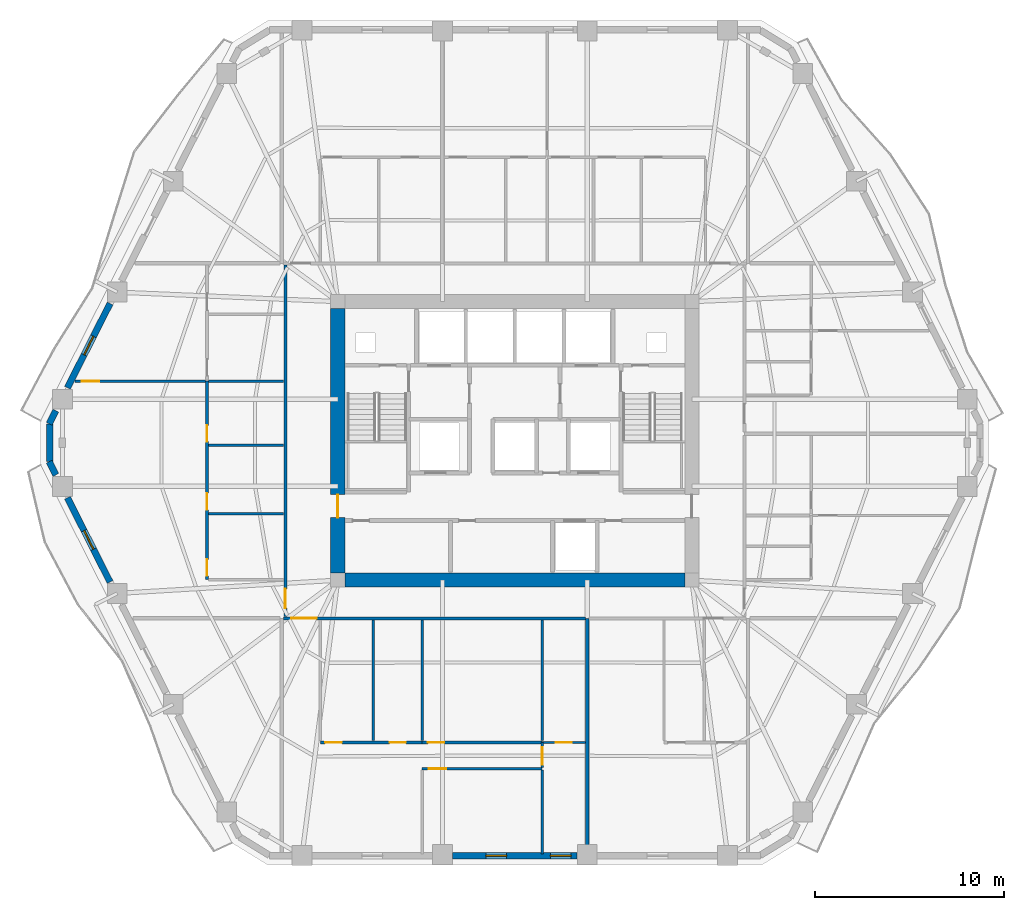
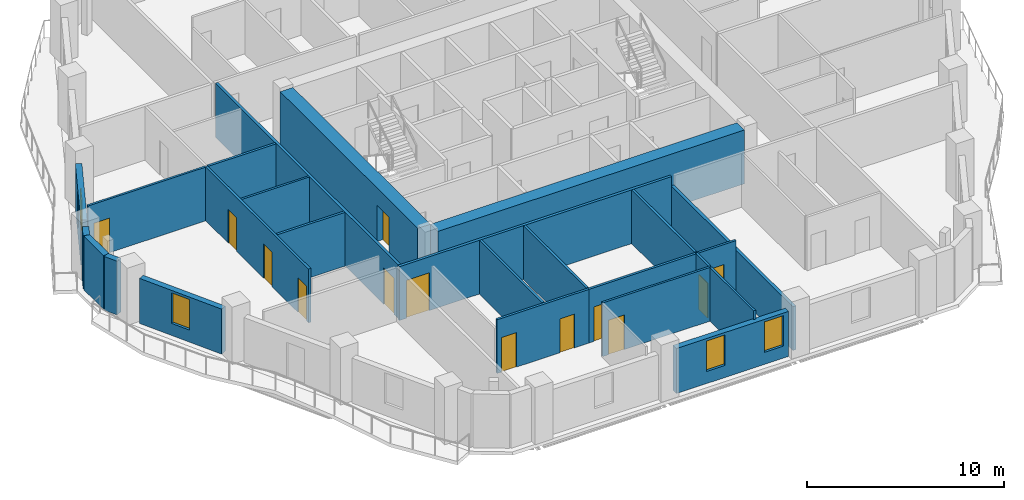
# One storey, part 4 of 11: 25 walls, 13 doors, 4 windows, 17 openings.
"""IFC4 building model written with IfcOpenShell, lengths in metres."""

from ifc_helpers import new_model, si_unit, direction, frame, frame_2d, origin, place, context, subcontext, project, spatial, rectangle, extrude, material, layer, layer_set, type_object, element, fill, save


model = new_model("IFC4")

# Units and contexts
model_context = context("Model", 3, precision=1e-05, world=origin(), true_north=direction((0.0, 1.0)))
body_context = subcontext(model_context, "Body", "Model", "MODEL_VIEW")
ifc_project = project(units=[si_unit("LENGTHUNIT", "METRE"), si_unit("AREAUNIT", "SQUARE_METRE"), si_unit("VOLUMEUNIT", "CUBIC_METRE"), si_unit("PLANEANGLEUNIT", "RADIAN"), si_unit("MASSUNIT", "GRAM", prefix="KILO")], contexts=[model_context])

# Site, building, storey
site_placement = place(None, origin())
site = spatial("IfcSite", under=ifc_project, at=site_placement, CompositionType="ELEMENT")
building_placement = place(site_placement, origin())
building = spatial("IfcBuilding", under=site, at=building_placement, Name="Cinnabar Lancet Tower", CompositionType="ELEMENT")
storey_placement = place(building_placement, frame((0.0, 0.0, 105.5)))
storey = spatial("IfcBuildingStorey", under=building, at=storey_placement, Name="L27", CompositionType="ELEMENT", Elevation=105.5)

# Wall, opening, door
ifc_material_1 = material(Name="Acoustic twin-stud gypsum partition", Category="gypsum")
ifc_layer_1 = layer(ifc_material_1, 0.159912109375)
ifc_layer_set_1 = layer_set([ifc_layer_1], Name="Acoustic twin-stud gypsum partition")
wall_type_1 = type_object("IfcWallType", Name="ARC-WL-CORR-160", PredefinedType="PARTITIONING", material=ifc_layer_set_1)
wall_1_placement = place(storey_placement, frame((20.14501953125, 16.5, 0.0), z_axis=(0.0, 0.0, 1.0), x_axis=(1.0, 0.0, 0.0)))
wall_1 = element("IfcWall", 1, at=wall_1_placement, inside=storey, type_object=wall_type_1, Name="L27 Unit S01 Corridor Wall", PredefinedType="PARTITIONING", context=body_context, shape_type="SweptSolid", body=[
    extrude(rectangle(XDim=15.991943359375, YDim=0.159912109375, at=frame_2d((7.99609375, 0.0))), origin(), (0.0, 0.0, 1.0), 3.340087890625),
])
opening_1_placement = place(wall_1_placement, frame((0.405029296875, 0.0, 0.0)))
opening_1 = element("IfcOpeningElement", 2, at=opening_1_placement, cuts=wall_1, Name="Opening UD-02", PredefinedType="OPENING", context=body_context, shape_type="SweptSolid", body=[
    extrude(rectangle(XDim=1.35009765625, YDim=2.35009765625, at=frame_2d((0.675048828125, 1.175048828125))), frame((0.0, 0.08984375, 0.0), z_axis=(0.0, -1.0, 0.0), x_axis=(1.0, 0.0, 0.0)), (0.0, 0.0, 1.0), 0.179931640625),
])
ifc_material_2 = material(Name="Double-leaf solid timber penthouse entrance door", Category="wood")
door_type_1 = type_object("IfcDoorType", Name="ARC-DR-UNIT-PH", OperationType="NOTDEFINED", PredefinedType="DOOR", material=ifc_material_2)
door_1_placement = place(opening_1_placement, origin())
door_1 = element("IfcDoor", 3, at=door_1_placement, inside=storey, type_object=door_type_1, Name="DR-L27-S01-ENT", OperationType="SINGLE_SWING_LEFT", OverallHeight=2.35009765625, OverallWidth=1.35009765625, PredefinedType="DOOR", context=body_context, shape_type="SweptSolid", body=[
    extrude(rectangle(XDim=1.35009765625, YDim=2.35009765625, at=frame_2d((0.675048828125, 1.175048828125))), frame((0.0, 0.02490234375, 0.0), z_axis=(0.0, -1.0, 0.0), x_axis=(1.0, 0.0, 0.0)), (0.0, 0.0, 1.0), 0.050048828125),
])
fill(opening_1, door_1)

wall_2_placement = place(storey_placement, frame((20.25, 16.594970703125, 0.0), z_axis=(0.0, 0.0, 1.0), x_axis=(0.0, 1.0, 0.0)))
wall_2 = element("IfcWall", 4, at=wall_2_placement, inside=storey, type_object=wall_type_1, Name="UW-L27-W01-COR", PredefinedType="PARTITIONING", context=body_context, shape_type="SweptSolid", body=[
    extrude(rectangle(XDim=18.610107421875, YDim=0.159912109375, at=frame_2d((9.30517578125, 0.0))), origin(), (0.0, 0.0, 1.0), 3.340087890625),
])
opening_2_placement = place(wall_2_placement, frame((0.449951171875, 0.0, 0.0)))
opening_2 = element("IfcOpeningElement", 5, at=opening_2_placement, cuts=wall_2, Name="Opening UD-01", PredefinedType="OPENING", context=body_context, shape_type="SweptSolid", body=[
    extrude(rectangle(XDim=1.02001953125, YDim=2.25, at=frame_2d((0.510009765625, 1.125))), frame((0.0, 0.08984375, 0.0), z_axis=(0.0, -1.0, 0.0), x_axis=(1.0, 0.0, 0.0)), (0.0, 0.0, 1.0), 0.179931640625),
])
ifc_material_3 = material(Name="Solid timber fire-rated apartment entrance door", Category="wood")
door_type_2 = type_object("IfcDoorType", Name="ARC-DR-UNIT", OperationType="NOTDEFINED", PredefinedType="DOOR", material=ifc_material_3)
door_2_placement = place(opening_2_placement, origin())
door_2 = element("IfcDoor", 6, at=door_2_placement, inside=storey, type_object=door_type_2, Name="DR-L27-W01-ENT", OperationType="SINGLE_SWING_LEFT", OverallHeight=2.25, OverallWidth=1.02001953125, PredefinedType="DOOR", context=body_context, shape_type="SweptSolid", body=[
    extrude(rectangle(XDim=1.02001953125, YDim=2.25, at=frame_2d((0.510009765625, 1.125))), frame((0.0, 0.02490234375, 0.0), z_axis=(0.0, -1.0, 0.0), x_axis=(1.0, 0.0, 0.0)), (0.0, 0.0, 1.0), 0.050048828125),
])
fill(opening_2, door_2)

# Wall
ifc_material_4 = material(Name="Fire-rated twin-frame acoustic drywall", Category="gypsum")
ifc_layer_2 = layer(ifc_material_4, 0.179931640625)
ifc_layer_set_2 = layer_set([ifc_layer_2], Name="Fire-rated twin-frame acoustic drywall")
wall_type_2 = type_object("IfcWallType", Name="ARC-WL-PARTY-180", PredefinedType="PARTITIONING", material=ifc_layer_set_2)
wall_3_placement = place(storey_placement, frame((36.23193359375, 4.10498046875, 0.0), z_axis=(0.0, 0.0, 1.0), x_axis=(0.0, 1.0, 0.0)))
element("IfcWall", 7, at=wall_3_placement, inside=storey, type_object=wall_type_2, Name="PW-L27-SPTY-362", PredefinedType="PARTITIONING", context=body_context, shape_type="SweptSolid", body=[
    extrude(rectangle(XDim=12.39501953125, YDim=0.179931640625, at=frame_2d((6.197509765625, 0.0))), origin(), (0.0, 0.0, 1.0), 2.721923828125),
])

# Wall, opening, door
ifc_material_5 = material(Name="Gypsum plasterboard stud partition", Category="gypsum")
ifc_layer_3 = layer(ifc_material_5, 0.125)
ifc_layer_set_3 = layer_set([ifc_layer_3], Name="Gypsum plasterboard stud partition")
wall_type_3 = type_object("IfcWallType", Name="ARC-WL-UNIT-125", PredefinedType="PARTITIONING", material=ifc_layer_set_3)
wall_4_placement = place(storey_placement, frame((33.85009765625, 9.930908203125, 0.0), z_axis=(0.0, 0.0, 1.0), x_axis=(1.0, 0.0, 0.0)))
wall_4 = element("IfcWall", 8, at=wall_4_placement, inside=storey, type_object=wall_type_3, Name="UW-L27-S01-SP2", PredefinedType="PARTITIONING", context=body_context, shape_type="SweptSolid", body=[
    extrude(rectangle(XDim=2.286865234375, YDim=0.125, at=frame_2d((1.1435546875, 0.0))), origin(), (0.0, 0.0, 1.0), 3.340087890625),
])
opening_3_placement = place(wall_4_placement, frame((0.718017578125, 0.0, 0.0)))
opening_3 = element("IfcOpeningElement", 9, at=opening_3_placement, cuts=wall_4, Name="Opening BD-01", PredefinedType="OPENING", context=body_context, shape_type="SweptSolid", body=[
    extrude(rectangle(XDim=0.860107421875, YDim=2.10009765625, at=frame_2d((0.43017578125, 1.050048828125))), frame((0.0, 0.072509765625, 0.0), z_axis=(0.0, -1.0, 0.0), x_axis=(1.0, 0.0, 0.0)), (0.0, 0.0, 1.0), 0.14501953125),
])
ifc_material_6 = material(Name="Moisture-resistant timber bathroom door", Category="wood")
door_type_3 = type_object("IfcDoorType", Name="ARC-DR-BATH", OperationType="NOTDEFINED", PredefinedType="DOOR", material=ifc_material_6)
door_3_placement = place(opening_3_placement, origin())
door_3 = element("IfcDoor", 10, at=door_3_placement, inside=storey, type_object=door_type_3, Name="DR-L27-S01-ENS", OperationType="SINGLE_SWING_LEFT", OverallHeight=2.10009765625, OverallWidth=0.860107421875, PredefinedType="DOOR", context=body_context, shape_type="SweptSolid", body=[
    extrude(rectangle(XDim=0.860107421875, YDim=2.10009765625, at=frame_2d((0.43017578125, 1.050048828125))), frame((0.0, 0.02490234375, 0.0), z_axis=(0.0, -1.0, 0.0), x_axis=(1.0, 0.0, 0.0)), (0.0, 0.0, 1.0), 0.050048828125),
])
fill(opening_3, door_3)

wall_5_placement = place(storey_placement, frame((27.493896484375, 8.531005859375, 0.0), z_axis=(0.0, 0.0, 1.0), x_axis=(1.0, 0.0, 0.0)))
wall_5 = element("IfcWall", 11, at=wall_5_placement, inside=storey, type_object=wall_type_3, Name="UW-L27-S01-HLN", PredefinedType="PARTITIONING", context=body_context, shape_type="SweptSolid", body=[
    extrude(rectangle(XDim=6.356201171875, YDim=0.125, at=frame_2d((3.17822265625, 0.0))), origin(), (0.0, 0.0, 1.0), 3.340087890625),
])
opening_4_placement = place(wall_5_placement, frame((0.35009765625, 0.0, 0.0)))
opening_4 = element("IfcOpeningElement", 12, at=opening_4_placement, cuts=wall_5, Name="Opening RD-01", PredefinedType="OPENING", context=body_context, shape_type="SweptSolid", body=[
    extrude(rectangle(XDim=0.919921875, YDim=2.14990234375, at=frame_2d((0.4599609375, 1.074951171875))), frame((0.0, 0.072509765625, 0.0), z_axis=(0.0, -1.0, 0.0), x_axis=(1.0, 0.0, 0.0)), (0.0, 0.0, 1.0), 0.14501953125),
])
ifc_material_7 = material(Name="Engineered timber bedroom door", Category="wood")
door_type_4 = type_object("IfcDoorType", Name="ARC-DR-ROOM", OperationType="NOTDEFINED", PredefinedType="DOOR", material=ifc_material_7)
door_4_placement = place(opening_4_placement, origin())
door_4 = element("IfcDoor", 13, at=door_4_placement, inside=storey, type_object=door_type_4, Name="DR-L27-S01-BD2", OperationType="SINGLE_SWING_RIGHT", OverallHeight=2.14990234375, OverallWidth=0.919921875, PredefinedType="DOOR", context=body_context, shape_type="SweptSolid", body=[
    extrude(rectangle(XDim=0.919921875, YDim=2.14990234375, at=frame_2d((0.4599609375, 1.074951171875))), frame((0.0, 0.02490234375, 0.0), z_axis=(0.0, -1.0, 0.0), x_axis=(1.0, 0.0, 0.0)), (0.0, 0.0, 1.0), 0.050048828125),
])
fill(opening_4, door_4)

wall_6_placement = place(storey_placement, frame((33.85009765625, 8.60107421875, 0.0), z_axis=(0.0, 0.0, 1.0), x_axis=(0.0, 1.0, 0.0)))
wall_6 = element("IfcWall", 14, at=wall_6_placement, inside=storey, type_object=wall_type_3, Name="UW-L27-S01-MBE", PredefinedType="PARTITIONING", context=body_context, shape_type="SweptSolid", body=[
    extrude(rectangle(XDim=1.329833984375, YDim=0.125, at=frame_2d((0.6650390625, 0.0))), origin(), (0.0, 0.0, 1.0), 3.340087890625),
])
opening_5_placement = place(wall_6_placement, frame((0.159912109375, 0.0, 0.0)))
opening_5 = element("IfcOpeningElement", 15, at=opening_5_placement, cuts=wall_6, Name="Opening RD-01", PredefinedType="OPENING", context=body_context, shape_type="SweptSolid", body=[
    extrude(rectangle(XDim=0.919921875, YDim=2.14990234375, at=frame_2d((0.4599609375, 1.074951171875))), frame((0.0, 0.072509765625, 0.0), z_axis=(0.0, -1.0, 0.0), x_axis=(1.0, 0.0, 0.0)), (0.0, 0.0, 1.0), 0.14501953125),
])
door_5_placement = place(opening_5_placement, origin())
door_5 = element("IfcDoor", 16, at=door_5_placement, inside=storey, type_object=door_type_4, Name="DR-L27-S01-MBD", OperationType="SINGLE_SWING_RIGHT", OverallHeight=2.14990234375, OverallWidth=0.919921875, PredefinedType="DOOR", context=body_context, shape_type="SweptSolid", body=[
    extrude(rectangle(XDim=0.919921875, YDim=2.14990234375, at=frame_2d((0.4599609375, 1.074951171875))), frame((0.0, 0.02490234375, 0.0), z_axis=(0.0, -1.0, 0.0), x_axis=(1.0, 0.0, 0.0)), (0.0, 0.0, 1.0), 0.050048828125),
])
fill(opening_5, door_5)

# Wall
wall_7_placement = place(storey_placement, frame((33.85009765625, 4.014892578125, 0.0), z_axis=(0.0, 0.0, 1.0), x_axis=(0.0, 1.0, 0.0)))
element("IfcWall", 17, at=wall_7_placement, inside=storey, type_object=wall_type_3, Name="UW-L27-S01-MB2W", PredefinedType="PARTITIONING", context=body_context, shape_type="SweptSolid", body=[
    extrude(rectangle(XDim=4.451171875, YDim=0.125, at=frame_2d((2.2255859375, 0.0))), origin(), (0.0, 0.0, 1.0), 3.340087890625),
])

# Wall, opening, door
wall_8_placement = place(storey_placement, frame((9.115966796875, 29.06396484375, 0.0), z_axis=(0.0, 0.0, 1.0), x_axis=(1.0, 0.0, 0.0)))
wall_8 = element("IfcWall", 18, at=wall_8_placement, inside=storey, type_object=wall_type_3, Name="UW-L27-W01-MBN", PredefinedType="PARTITIONING", context=body_context, shape_type="SweptSolid", body=[
    extrude(rectangle(XDim=6.908935546875, YDim=0.125, at=frame_2d((3.45458984375, 0.0))), origin(), (0.0, 0.0, 1.0), 3.340087890625),
])
opening_6_placement = place(wall_8_placement, frame((0.35009765625, 0.0, 0.0)))
opening_6 = element("IfcOpeningElement", 19, at=opening_6_placement, cuts=wall_8, Name="Opening RD-01", PredefinedType="OPENING", context=body_context, shape_type="SweptSolid", body=[
    extrude(rectangle(XDim=0.919921875, YDim=2.14990234375, at=frame_2d((0.4599609375, 1.074951171875))), frame((0.0, 0.072509765625, 0.0), z_axis=(0.0, -1.0, 0.0), x_axis=(1.0, 0.0, 0.0)), (0.0, 0.0, 1.0), 0.14501953125),
])
door_6_placement = place(opening_6_placement, origin())
door_6 = element("IfcDoor", 20, at=door_6_placement, inside=storey, type_object=door_type_4, Name="DR-L27-W01-MBD", OperationType="SINGLE_SWING_LEFT", OverallHeight=2.14990234375, OverallWidth=0.919921875, PredefinedType="DOOR", context=body_context, shape_type="SweptSolid", body=[
    extrude(rectangle(XDim=0.919921875, YDim=2.14990234375, at=frame_2d((0.4599609375, 1.074951171875))), frame((0.0, 0.02490234375, 0.0), z_axis=(0.0, -1.0, 0.0), x_axis=(1.0, 0.0, 0.0)), (0.0, 0.0, 1.0), 0.050048828125),
])
fill(opening_6, door_6)

# Wall
wall_9_placement = place(storey_placement, frame((16.18505859375, 25.6640625, 0.0), z_axis=(0.0, 0.0, 1.0), x_axis=(1.0, 0.0, 0.0)))
element("IfcWall", 21, at=wall_9_placement, inside=storey, type_object=wall_type_3, Name="UW-L27-W01-UDV", PredefinedType="PARTITIONING", context=body_context, shape_type="SweptSolid", body=[
    extrude(rectangle(XDim=3.97998046875, YDim=0.125, at=frame_2d((1.989990234375, 0.0))), origin(), (0.0, 0.0, 1.0), 3.340087890625),
])

# Wall, openings, doors
ifc_material_8 = material(Name="Moisture-resistant cement-board plumbing wall", Category="masonry")
ifc_layer_4 = layer(ifc_material_8, 0.139892578125)
ifc_layer_set_4 = layer_set([ifc_layer_4], Name="Moisture-resistant cement-board plumbing wall")
wall_type_4 = type_object("IfcWallType", Name="ARC-WL-WET-140", PredefinedType="PLUMBINGWALL", material=ifc_layer_set_4)
wall_10_placement = place(storey_placement, frame((22.10009765625, 9.930908203125, 0.0), z_axis=(0.0, 0.0, 1.0), x_axis=(1.0, 0.0, 0.0)))
wall_10 = element("IfcWall", 22, at=wall_10_placement, inside=storey, type_object=wall_type_4, Name="UW-L27-S01-SPL", PredefinedType="PLUMBINGWALL", context=body_context, shape_type="SweptSolid", body=[
    extrude(rectangle(XDim=5.393798828125, YDim=0.139892578125, at=frame_2d((2.69677734375, 0.0))), origin(), (0.0, 0.0, 1.0), 3.340087890625),
])
opening_7_placement = place(wall_10_placement, frame((3.674072265625, 0.0, 0.0)))
opening_7 = element("IfcOpeningElement", 23, at=opening_7_placement, cuts=wall_10, Name="Opening BD-01", PredefinedType="OPENING", context=body_context, shape_type="SweptSolid", body=[
    extrude(rectangle(XDim=0.860107421875, YDim=2.10009765625, at=frame_2d((0.43017578125, 1.050048828125))), frame((0.0, 0.079833984375, 0.0), z_axis=(0.0, -1.0, 0.0), x_axis=(1.0, 0.0, 0.0)), (0.0, 0.0, 1.0), 0.159912109375),
])
opening_8_placement = place(wall_10_placement, frame((0.260009765625, 0.0, 0.0)))
opening_8 = element("IfcOpeningElement", 24, at=opening_8_placement, cuts=wall_10, Name="Opening RD-02", PredefinedType="OPENING", context=body_context, shape_type="SweptSolid", body=[
    extrude(rectangle(XDim=0.8798828125, YDim=2.14990234375, at=frame_2d((0.43994140625, 1.074951171875))), frame((0.0, 0.079833984375, 0.0), z_axis=(0.0, -1.0, 0.0), x_axis=(1.0, 0.0, 0.0)), (0.0, 0.0, 1.0), 0.159912109375),
])
door_7_placement = place(opening_7_placement, origin())
door_7 = element("IfcDoor", 25, at=door_7_placement, inside=storey, type_object=door_type_3, Name="DR-L27-S01-BTH", OperationType="SINGLE_SWING_LEFT", OverallHeight=2.10009765625, OverallWidth=0.860107421875, PredefinedType="DOOR", context=body_context, shape_type="SweptSolid", body=[
    extrude(rectangle(XDim=0.860107421875, YDim=2.10009765625, at=frame_2d((0.43017578125, 1.050048828125))), frame((0.0, 0.02490234375, 0.0), z_axis=(0.0, -1.0, 0.0), x_axis=(1.0, 0.0, 0.0)), (0.0, 0.0, 1.0), 0.050048828125),
])
fill(opening_7, door_7)
ifc_material_9 = material(Name="Engineered timber study door", Category="wood")
door_type_5 = type_object("IfcDoorType", Name="ARC-DR-STUDY", OperationType="NOTDEFINED", PredefinedType="DOOR", material=ifc_material_9)
door_8_placement = place(opening_8_placement, origin())
door_8 = element("IfcDoor", 26, at=door_8_placement, inside=storey, type_object=door_type_5, Name="DR-L27-S01-KIT", OperationType="SINGLE_SWING_RIGHT", OverallHeight=2.14990234375, OverallWidth=0.8798828125, PredefinedType="DOOR", context=body_context, shape_type="SweptSolid", body=[
    extrude(rectangle(XDim=0.8798828125, YDim=2.14990234375, at=frame_2d((0.43994140625, 1.074951171875))), frame((0.0, 0.02490234375, 0.0), z_axis=(0.0, -1.0, 0.0), x_axis=(1.0, 0.0, 0.0)), (0.0, 0.0, 1.0), 0.050048828125),
])
fill(opening_8, door_8)

# Wall, opening, door
wall_11_placement = place(storey_placement, frame((27.493896484375, 9.930908203125, 0.0), z_axis=(0.0, 0.0, 1.0), x_axis=(1.0, 0.0, 0.0)))
wall_11 = element("IfcWall", 27, at=wall_11_placement, inside=storey, type_object=wall_type_4, Name="UW-L27-S01-SPM", PredefinedType="PLUMBINGWALL", context=body_context, shape_type="SweptSolid", body=[
    extrude(rectangle(XDim=6.356201171875, YDim=0.139892578125, at=frame_2d((3.17822265625, 0.0))), origin(), (0.0, 0.0, 1.0), 3.340087890625),
])
opening_9_placement = place(wall_11_placement, frame((0.300048828125, 0.0, 0.0)))
opening_9 = element("IfcOpeningElement", 28, at=opening_9_placement, cuts=wall_11, Name="Opening RD-02", PredefinedType="OPENING", context=body_context, shape_type="SweptSolid", body=[
    extrude(rectangle(XDim=0.8798828125, YDim=2.14990234375, at=frame_2d((0.43994140625, 1.074951171875))), frame((0.0, 0.079833984375, 0.0), z_axis=(0.0, -1.0, 0.0), x_axis=(1.0, 0.0, 0.0)), (0.0, 0.0, 1.0), 0.159912109375),
])
door_9_placement = place(opening_9_placement, origin())
door_9 = element("IfcDoor", 29, at=door_9_placement, inside=storey, type_object=door_type_5, Name="DR-L27-S01-UTL", OperationType="SINGLE_SWING_LEFT", OverallHeight=2.14990234375, OverallWidth=0.8798828125, PredefinedType="DOOR", context=body_context, shape_type="SweptSolid", body=[
    extrude(rectangle(XDim=0.8798828125, YDim=2.14990234375, at=frame_2d((0.43994140625, 1.074951171875))), frame((0.0, 0.02490234375, 0.0), z_axis=(0.0, -1.0, 0.0), x_axis=(1.0, 0.0, 0.0)), (0.0, 0.0, 1.0), 0.050048828125),
])
fill(opening_9, door_9)

# Walls
for number, where, z_axis, x_axis, name in (
    (30, (24.905029296875, 10.035888671875, 0.0), (0.0, 0.0, 1.0), (0.0, 1.0, 0.0), "UW-L27-S01-KDV"),
    (31, (27.493896484375, 10.035888671875, 0.0), (0.0, 0.0, 1.0), (0.0, 1.0, 0.0), "UW-L27-S01-ENSW"),
    (32, (33.85009765625, 10.035888671875, 0.0), (0.0, 0.0, 1.0), (0.0, 1.0, 0.0), "UW-L27-S01-ENSE"),
):
    element("IfcWall", number, at=place(storey_placement, frame(where, z_axis=z_axis, x_axis=x_axis)), inside=storey, type_object=wall_type_4, Name=name, PredefinedType="PLUMBINGWALL", context=body_context, shape_type="SweptSolid", body=[
        extrude(rectangle(XDim=6.379150390625, YDim=0.139892578125, at=frame_2d((3.189453125, 0.0))), origin(), (0.0, 0.0, 1.0), 3.340087890625),
    ])

# Wall, openings, doors
wall_12_placement = place(storey_placement, frame((16.10009765625, 18.550048828125, 0.0), z_axis=(0.0, 0.0, 1.0), x_axis=(0.0, 1.0, 0.0)))
wall_12 = element("IfcWall", 33, at=wall_12_placement, inside=storey, type_object=wall_type_4, Name="UW-L27-W01-SPL", PredefinedType="PLUMBINGWALL", context=body_context, shape_type="SweptSolid", body=[
    extrude(rectangle(XDim=10.513916015625, YDim=0.139892578125, at=frame_2d((5.2568359375, 0.0))), origin(), (0.0, 0.0, 1.0), 3.340087890625),
])
opening_10_placement = place(wall_12_placement, frame((0.199951171875, 0.0, 0.0)))
opening_10 = element("IfcOpeningElement", 34, at=opening_10_placement, cuts=wall_12, Name="Opening RD-02", PredefinedType="OPENING", context=body_context, shape_type="SweptSolid", body=[
    extrude(rectangle(XDim=0.8798828125, YDim=2.14990234375, at=frame_2d((0.43994140625, 1.074951171875))), frame((0.0, 0.079833984375, 0.0), z_axis=(0.0, -1.0, 0.0), x_axis=(1.0, 0.0, 0.0)), (0.0, 0.0, 1.0), 0.159912109375),
])
opening_11_placement = place(wall_12_placement, frame((3.699951171875, 0.0, 0.0)))
opening_11 = element("IfcOpeningElement", 35, at=opening_11_placement, cuts=wall_12, Name="Opening RD-02", PredefinedType="OPENING", context=body_context, shape_type="SweptSolid", body=[
    extrude(rectangle(XDim=0.8798828125, YDim=2.14990234375, at=frame_2d((0.43994140625, 1.074951171875))), frame((0.0, 0.079833984375, 0.0), z_axis=(0.0, -1.0, 0.0), x_axis=(1.0, 0.0, 0.0)), (0.0, 0.0, 1.0), 0.159912109375),
])
opening_12_placement = place(wall_12_placement, frame((7.31396484375, 0.0, 0.0)))
opening_12 = element("IfcOpeningElement", 36, at=opening_12_placement, cuts=wall_12, Name="Opening BD-01", PredefinedType="OPENING", context=body_context, shape_type="SweptSolid", body=[
    extrude(rectangle(XDim=0.860107421875, YDim=2.10009765625, at=frame_2d((0.43017578125, 1.050048828125))), frame((0.0, 0.079833984375, 0.0), z_axis=(0.0, -1.0, 0.0), x_axis=(1.0, 0.0, 0.0)), (0.0, 0.0, 1.0), 0.159912109375),
])
door_10_placement = place(opening_12_placement, origin())
door_10 = element("IfcDoor", 37, at=door_10_placement, inside=storey, type_object=door_type_3, Name="DR-L27-W01-BTH", OperationType="SINGLE_SWING_RIGHT", OverallHeight=2.10009765625, OverallWidth=0.860107421875, PredefinedType="DOOR", context=body_context, shape_type="SweptSolid", body=[
    extrude(rectangle(XDim=0.860107421875, YDim=2.10009765625, at=frame_2d((0.43017578125, 1.050048828125))), frame((0.0, 0.02490234375, 0.0), z_axis=(0.0, -1.0, 0.0), x_axis=(1.0, 0.0, 0.0)), (0.0, 0.0, 1.0), 0.050048828125),
])
fill(opening_12, door_10)
door_11_placement = place(opening_10_placement, origin())
door_11 = element("IfcDoor", 38, at=door_11_placement, inside=storey, type_object=door_type_5, Name="DR-L27-W01-KIT", OperationType="SINGLE_SWING_RIGHT", OverallHeight=2.14990234375, OverallWidth=0.8798828125, PredefinedType="DOOR", context=body_context, shape_type="SweptSolid", body=[
    extrude(rectangle(XDim=0.8798828125, YDim=2.14990234375, at=frame_2d((0.43994140625, 1.074951171875))), frame((0.0, 0.02490234375, 0.0), z_axis=(0.0, -1.0, 0.0), x_axis=(1.0, 0.0, 0.0)), (0.0, 0.0, 1.0), 0.050048828125),
])
fill(opening_10, door_11)
door_12_placement = place(opening_11_placement, origin())
door_12 = element("IfcDoor", 39, at=door_12_placement, inside=storey, type_object=door_type_5, Name="DR-L27-W01-UTL", OperationType="SINGLE_SWING_LEFT", OverallHeight=2.14990234375, OverallWidth=0.8798828125, PredefinedType="DOOR", context=body_context, shape_type="SweptSolid", body=[
    extrude(rectangle(XDim=0.8798828125, YDim=2.14990234375, at=frame_2d((0.43994140625, 1.074951171875))), frame((0.0, 0.02490234375, 0.0), z_axis=(0.0, -1.0, 0.0), x_axis=(1.0, 0.0, 0.0)), (0.0, 0.0, 1.0), 0.050048828125),
])
fill(opening_11, door_12)

# Walls
for number, where, z_axis, x_axis, name in (
    (40, (16.18505859375, 29.06396484375, 0.0), (0.0, 0.0, 1.0), (1.0, 0.0, 0.0), "UW-L27-W01-ENSN"),
    (41, (16.18505859375, 22.050048828125, 0.0), (0.0, 0.0, 1.0), (1.0, 0.0, 0.0), "UW-L27-W01-KDV"),
):
    element("IfcWall", number, at=place(storey_placement, frame(where, z_axis=z_axis, x_axis=x_axis)), inside=storey, type_object=wall_type_4, Name=name, PredefinedType="PLUMBINGWALL", context=body_context, shape_type="SweptSolid", body=[
        extrude(rectangle(XDim=3.97998046875, YDim=0.139892578125, at=frame_2d((1.989990234375, 0.0))), origin(), (0.0, 0.0, 1.0), 3.340087890625),
    ])
ifc_material_10 = material(Name="Cinnabar red clay brick", Category="masonry")
ifc_layer_5 = layer(ifc_material_10, 0.340087890625)
ifc_layer_set_5 = layer_set([ifc_layer_5], Name="Cinnabar red clay brick")
wall_type_5 = type_object("IfcWallType", Name="ENV-WL-BRK-RED-340", PredefinedType="STANDARD", material=ifc_layer_set_5)
wall_13_placement = place(storey_placement, frame((7.76708984375, 26.797119140625, 0.0), z_axis=(0.0, 0.0, 1.0), x_axis=(0.0, -1.0, 0.0)))
element("IfcWall", 42, at=wall_13_placement, inside=storey, type_object=wall_type_5, Name="L27 Chamfered Corner Brick Pier 6.1", PredefinedType="STANDARD", context=body_context, shape_type="SweptSolid", body=[
    extrude(rectangle(XDim=1.994140625, YDim=0.340087890625, at=frame_2d((0.9970703125, 0.0))), origin(), (0.0, 0.0, 1.0), 3.340087890625),
])

# Wall, openings, windows
wall_14_placement = place(storey_placement, frame((29.096923828125, 3.929931640625, 0.0), z_axis=(0.0, 0.0, 1.0), x_axis=(1.0, 0.0, 0.0)))
wall_14 = element("IfcWall", 43, at=wall_14_placement, inside=storey, type_object=wall_type_5, Name="L27 Face 1 Masonry Bay Wall 3", PredefinedType="STANDARD", context=body_context, shape_type="SweptSolid", body=[
    extrude(rectangle(XDim=6.60595703125, YDim=0.340087890625, at=frame_2d((3.302978515625, 0.0))), origin(), (0.0, 0.0, 1.0), 2.797119140625),
])
opening_13_placement = place(wall_14_placement, frame((1.77001953125, 0.0, 0.75)))
opening_13 = element("IfcOpeningElement", 44, at=opening_13_placement, cuts=wall_14, Name="Opening WN-04", PredefinedType="OPENING", context=body_context, shape_type="SweptSolid", body=[
    extrude(rectangle(XDim=1.10009765625, YDim=1.89697265625, at=frame_2d((0.550048828125, 0.948486328125))), frame((0.0, 0.179931640625, 0.0), z_axis=(0.0, -1.0, 0.0), x_axis=(1.0, 0.0, 0.0)), (0.0, 0.0, 1.0), 0.360107421875),
])
opening_14_placement = place(wall_14_placement, frame((5.18603515625, 0.0, 0.75)))
opening_14 = element("IfcOpeningElement", 45, at=opening_14_placement, cuts=wall_14, Name="Opening WN-04", PredefinedType="OPENING", context=body_context, shape_type="SweptSolid", body=[
    extrude(rectangle(XDim=1.10009765625, YDim=1.89697265625, at=frame_2d((0.550048828125, 0.948486328125))), frame((0.0, 0.179931640625, 0.0), z_axis=(0.0, -1.0, 0.0), x_axis=(1.0, 0.0, 0.0)), (0.0, 0.0, 1.0), 0.360107421875),
])
ifc_material_11 = material(Name="Thermally broken bronze-anodized aluminium tall lancet window", Category="aluminium")
window_type = type_object("IfcWindowType", Name="ENV-WN-LANCET-1100", PartitioningType="SINGLE_PANEL", PredefinedType="WINDOW", material=ifc_material_11)
window_1_placement = place(opening_13_placement, origin())
window_1 = element("IfcWindow", 46, at=window_1_placement, inside=storey, type_object=window_type, Name="L27 Face 1 Gothic Lancet Window 3", OverallHeight=1.89697265625, OverallWidth=1.10009765625, PartitioningType="SINGLE_PANEL", PredefinedType="WINDOW", context=body_context, shape_type="SweptSolid", body=[
    extrude(rectangle(XDim=1.10009765625, YDim=1.89697265625, at=frame_2d((0.550048828125, 0.948486328125))), frame((0.0, 0.030029296875, 0.0), z_axis=(0.0, -1.0, 0.0), x_axis=(1.0, 0.0, 0.0)), (0.0, 0.0, 1.0), 0.06005859375),
])
fill(opening_13, window_1)
window_2_placement = place(opening_14_placement, origin())
window_2 = element("IfcWindow", 47, at=window_2_placement, inside=storey, type_object=window_type, Name="L27 Split-Bay Gothic Lancet Window 88", OverallHeight=1.89697265625, OverallWidth=1.10009765625, PartitioningType="SINGLE_PANEL", PredefinedType="WINDOW", context=body_context, shape_type="SweptSolid", body=[
    extrude(rectangle(XDim=1.10009765625, YDim=1.89697265625, at=frame_2d((0.550048828125, 0.948486328125))), frame((0.0, 0.030029296875, 0.0), z_axis=(0.0, -1.0, 0.0), x_axis=(1.0, 0.0, 0.0)), (0.0, 0.0, 1.0), 0.06005859375),
])
fill(opening_14, window_2)

# Wall, opening, window
wall_15_placement = place(storey_placement, frame((10.968017578125, 33.172119140625, 0.0), z_axis=(0.0, 0.0, 1.0), x_axis=(-0.451470533039, -0.892286029139, 0.0)))
wall_15 = element("IfcWall", 48, at=wall_15_placement, inside=storey, type_object=wall_type_5, Name="L27 Face 5 Masonry Bay Wall 4", PredefinedType="STANDARD", context=body_context, shape_type="SweptSolid", body=[
    extrude(rectangle(XDim=4.9951171875, YDim=0.340087890625, at=frame_2d((2.49755859375, 0.0))), origin(), (0.0, 0.0, 1.0), 2.797119140625),
])
opening_15_placement = place(wall_15_placement, frame((1.947021484375, 0.0, 0.75)))
opening_15 = element("IfcOpeningElement", 49, at=opening_15_placement, cuts=wall_15, Name="Opening WN-04", PredefinedType="OPENING", context=body_context, shape_type="SweptSolid", body=[
    extrude(rectangle(XDim=1.10009765625, YDim=1.89697265625, at=frame_2d((0.550048828125, 0.948486328125))), frame((0.0, 0.179931640625, 0.0), z_axis=(0.0, -1.0, 0.0), x_axis=(1.0, 0.0, 0.0)), (0.0, 0.0, 1.0), 0.360107421875),
])
window_3_placement = place(opening_15_placement, origin())
window_3 = element("IfcWindow", 50, at=window_3_placement, inside=storey, type_object=window_type, Name="L27 Face 5 Gothic Lancet Window 4", OverallHeight=1.89697265625, OverallWidth=1.10009765625, PartitioningType="SINGLE_PANEL", PredefinedType="WINDOW", context=body_context, shape_type="SweptSolid", body=[
    extrude(rectangle(XDim=1.10009765625, YDim=1.89697265625, at=frame_2d((0.550048828125, 0.948486328125))), frame((0.0, 0.030029296875, 0.0), z_axis=(0.0, -1.0, 0.0), x_axis=(1.0, 0.0, 0.0)), (0.0, 0.0, 1.0), 0.06005859375),
])
fill(opening_15, window_3)

# Walls
for number, where, z_axis, x_axis, name in (
    (51, (8.10009765625, 27.5029296875, 0.0), (0.0, 0.0, 1.0), (-0.451819324107, -0.89210946546, 0.0), "L27 Face 5 Masonry Bay Wall 5"),
    (52, (7.74609375, 24.7958984375, 0.0), (0.0, 0.0, 1.0), (0.451819324107, -0.89210946546, 0.0), "L27 Face 6 Masonry Bay Wall 1"),
):
    element("IfcWall", number, at=place(storey_placement, frame(where, z_axis=z_axis, x_axis=x_axis)), inside=storey, type_object=wall_type_5, Name=name, PredefinedType="STANDARD", context=body_context, shape_type="SweptSolid", body=[
        extrude(rectangle(XDim=0.783447265625, YDim=0.340087890625, at=frame_2d((0.3916015625, 0.0))), origin(), (0.0, 0.0, 1.0), 3.340087890625),
    ])

# Wall, opening, window
wall_16_placement = place(storey_placement, frame((8.712890625, 22.885009765625, 0.0), z_axis=(0.0, 0.0, 1.0), x_axis=(0.451470533039, -0.892286029139, 0.0)))
wall_16 = element("IfcWall", 53, at=wall_16_placement, inside=storey, type_object=wall_type_5, Name="L27 Face 6 Masonry Bay Wall 2", PredefinedType="STANDARD", context=body_context, shape_type="SweptSolid", body=[
    extrude(rectangle(XDim=4.9951171875, YDim=0.340087890625, at=frame_2d((2.49755859375, 0.0))), origin(), (0.0, 0.0, 1.0), 2.797119140625),
])
opening_16_placement = place(wall_16_placement, frame((1.947021484375, 0.0, 0.75)))
opening_16 = element("IfcOpeningElement", 54, at=opening_16_placement, cuts=wall_16, Name="Opening WN-04", PredefinedType="OPENING", context=body_context, shape_type="SweptSolid", body=[
    extrude(rectangle(XDim=1.10009765625, YDim=1.89697265625, at=frame_2d((0.550048828125, 0.948486328125))), frame((0.0, 0.179931640625, 0.0), z_axis=(0.0, -1.0, 0.0), x_axis=(1.0, 0.0, 0.0)), (0.0, 0.0, 1.0), 0.360107421875),
])
window_4_placement = place(opening_16_placement, origin())
window_4 = element("IfcWindow", 55, at=window_4_placement, inside=storey, type_object=window_type, Name="L27 Face 6 Gothic Lancet Window 2", OverallHeight=1.89697265625, OverallWidth=1.10009765625, PartitioningType="SINGLE_PANEL", PredefinedType="WINDOW", context=body_context, shape_type="SweptSolid", body=[
    extrude(rectangle(XDim=1.10009765625, YDim=1.89697265625, at=frame_2d((0.550048828125, 0.948486328125))), frame((0.0, 0.030029296875, 0.0), z_axis=(0.0, -1.0, 0.0), x_axis=(1.0, 0.0, 0.0)), (0.0, 0.0, 1.0), 0.06005859375),
])
fill(opening_16, window_4)

# Wall
ifc_material_12 = material(Name="Concrete C70/85", Category="concrete")
ifc_layer_6 = layer(ifc_material_12, 0.75)
ifc_layer_set_6 = layer_set([ifc_layer_6], Name="Concrete C70/85")
wall_type_6 = type_object("IfcWallType", Name="STR-WL-CORE-750", PredefinedType="SHEAR", material=ifc_layer_set_6)
wall_17_placement = place(storey_placement, frame((23.39990234375, 18.52490234375, 0.0), z_axis=(0.0, 0.0, 1.0), x_axis=(1.0, 0.0, 0.0)))
element("IfcWall", 56, at=wall_17_placement, inside=storey, type_object=wall_type_6, Name="L27 Core Shear Wall S", PredefinedType="SHEAR", context=body_context, shape_type="SweptSolid", body=[
    extrude(rectangle(XDim=18.0, YDim=0.75, at=frame_2d((9.0, 0.0))), origin(), (0.0, 0.0, 1.0), 3.340087890625),
])

# Wall, opening, door
wall_18_placement = place(storey_placement, frame((23.02490234375, 18.89990234375, 0.0), z_axis=(0.0, 0.0, 1.0), x_axis=(0.0, 1.0, 0.0)))
wall_18 = element("IfcWall", 57, at=wall_18_placement, inside=storey, type_object=wall_type_6, Name="L27 Core Shear Wall W", PredefinedType="SHEAR", context=body_context, shape_type="SweptSolid", body=[
    extrude(rectangle(XDim=14.0, YDim=0.75, at=frame_2d((7.0, 0.0))), origin(), (0.0, 0.0, 1.0), 3.340087890625),
])
opening_17_placement = place(wall_18_placement, frame((2.93994140625, 0.0, 0.0)))
opening_17 = element("IfcOpeningElement", 58, at=opening_17_placement, cuts=wall_18, Name="Opening FD-02", PredefinedType="OPENING", context=body_context, shape_type="SweptSolid", body=[
    extrude(rectangle(XDim=1.219970703125, YDim=2.25, at=frame_2d((0.60986328125, 1.125))), frame((0.0, 0.385009765625, 0.0), z_axis=(0.0, -1.0, 0.0), x_axis=(1.0, 0.0, 0.0)), (0.0, 0.0, 1.0), 0.77001953125),
])
ifc_material_13 = material(Name="Fire-rated double-vision core portal door", Category="wood")
door_type_6 = type_object("IfcDoorType", Name="ARC-DR-CPORT", OperationType="NOTDEFINED", PredefinedType="DOOR", material=ifc_material_13)
door_13_placement = place(opening_17_placement, origin())
door_13 = element("IfcDoor", 59, at=door_13_placement, inside=storey, type_object=door_type_6, Name="L27 West Core Lobby Fire Door", OperationType="SINGLE_SWING_RIGHT", OverallHeight=2.25, OverallWidth=1.219970703125, PredefinedType="DOOR", context=body_context, shape_type="SweptSolid", body=[
    extrude(rectangle(XDim=1.219970703125, YDim=2.25, at=frame_2d((0.60986328125, 1.125))), frame((0.0, 0.02490234375, 0.0), z_axis=(0.0, -1.0, 0.0), x_axis=(1.0, 0.0, 0.0)), (0.0, 0.0, 1.0), 0.050048828125),
])
fill(opening_17, door_13)

save(model, "model.ifc")
